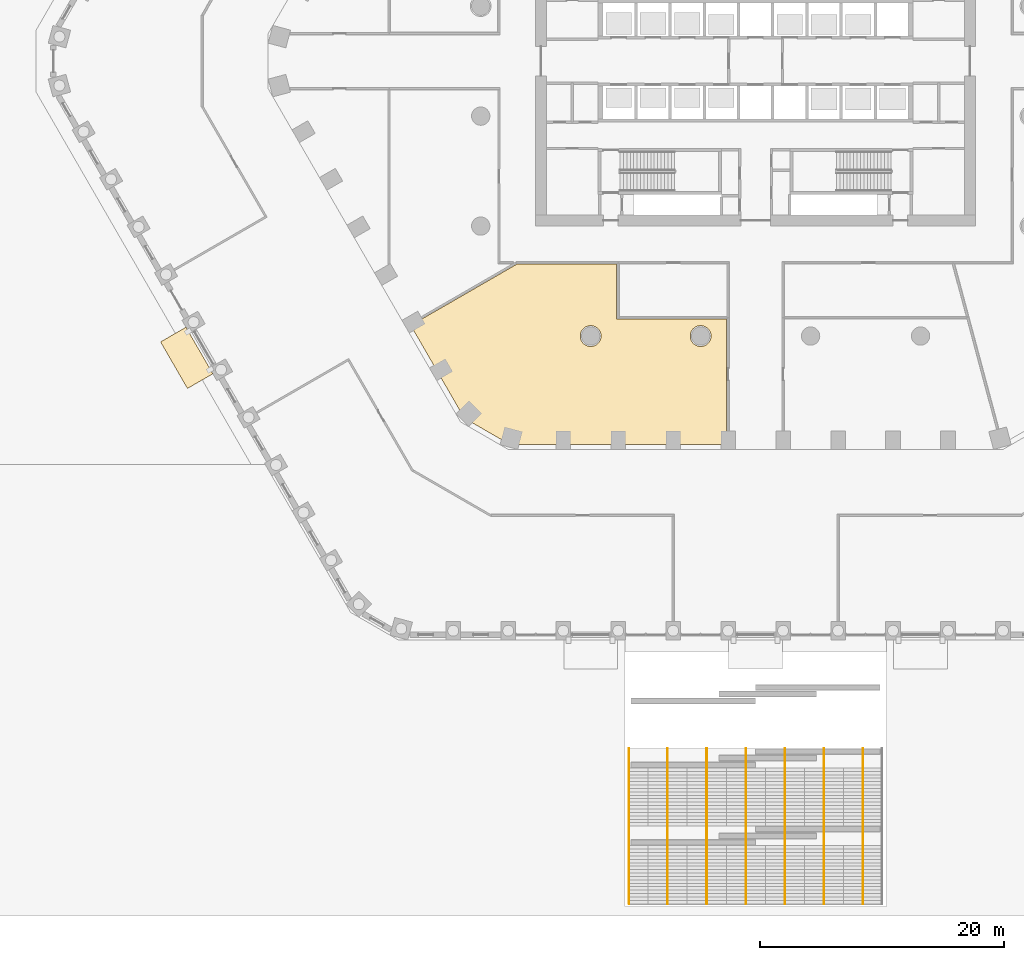
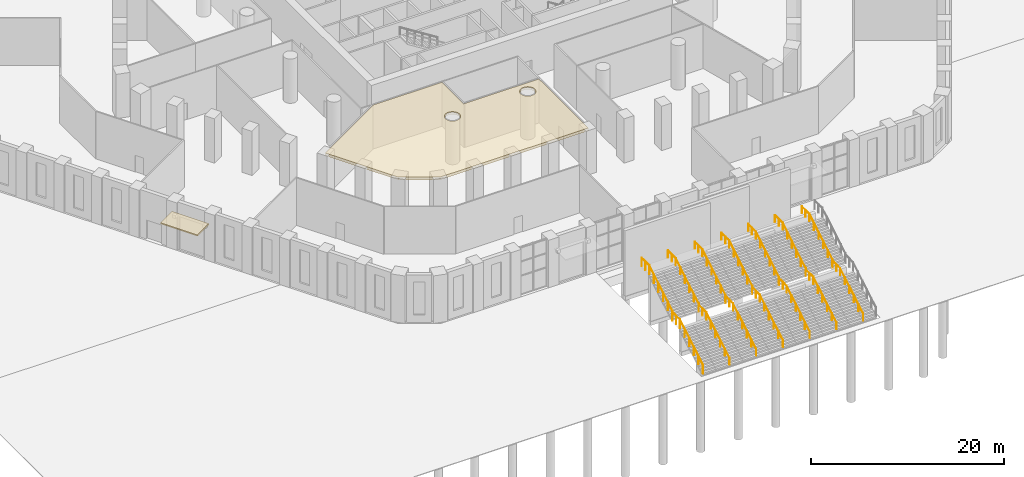
# One storey, part 32 of 44: 7 railings, 2 coverings.
"""IFC4 building model written with IfcOpenShell, lengths in metres."""

from ifc_helpers import new_model, si_unit, direction, frame, origin, origin_2d, place, context, subcontext, project, spatial, polyline, rectangle, circle, outline, extrude, material, layer, layer_set, type_object, element, save


model = new_model("IFC4")

# Units and contexts
model_context = context("Model", 3, precision=1e-05, world=origin(), true_north=direction((0.0, 1.0)))
body_context = subcontext(model_context, "Body", "Model", "MODEL_VIEW")
ifc_project = project(units=[si_unit("LENGTHUNIT", "METRE"), si_unit("AREAUNIT", "SQUARE_METRE"), si_unit("VOLUMEUNIT", "CUBIC_METRE"), si_unit("PLANEANGLEUNIT", "RADIAN"), si_unit("MASSUNIT", "GRAM", prefix="KILO")], contexts=[model_context])

# Site, building, storey
site_placement = place(None, origin())
site = spatial("IfcSite", under=ifc_project, at=site_placement, CompositionType="ELEMENT")
building_placement = place(site_placement, origin())
building = spatial("IfcBuilding", under=site, at=building_placement, Name="Dhurran Vertical Campus", CompositionType="ELEMENT")
storey_placement = place(building_placement, origin())
storey = spatial("IfcBuildingStorey", under=building, at=storey_placement, Name="L00", CompositionType="ELEMENT", Elevation=0.0)

# Coverings
ifc_material_1 = material(Name="Precast concrete C50/60", Category="concrete")
ifc_layer_1 = layer(ifc_material_1, 0.14990234375)
ifc_layer_set_1 = layer_set([ifc_layer_1], Name="Precast concrete C50/60")
covering_type_1 = type_object("IfcCoveringType", Name="Entrance canopy precast 150", PredefinedType="USERDEFINED", material=ifc_layer_set_1)
covering_1_placement = place(storey_placement, frame((-46.561279296875, -24.2841796875, 4.60009765625), z_axis=(0.0, 0.0, 1.0), x_axis=(0.5, -0.866025403784, 0.0)))
element("IfcCovering", 1, at=covering_1_placement, inside=storey, type_object=covering_type_1, Name="CN1 D013 entrance canopy", ObjectType="CANOPY", PredefinedType="USERDEFINED", context=body_context, shape_type="SweptSolid", body=[
    extrude(rectangle(XDim=4.39990234375, YDim=2.39990234375, at=origin_2d()), origin(), (0.0, 0.0, 1.0), 0.14990234375),
])
ifc_material_2 = material(Name="Mineral fibre ceiling tiles on suspended grid")
ifc_layer_2 = layer(ifc_material_2, 0.35009765625)
ifc_layer_set_2 = layer_set([ifc_layer_2], Name="Mineral fibre ceiling tiles on suspended grid")
covering_type_2 = type_object("IfcCoveringType", Name="fl-CE-350 suspended ceiling", PredefinedType="CEILING", material=ifc_layer_set_2)
covering_2_placement = place(storey_placement, frame((0.0, 0.0, 5.25)))
element("IfcCovering", 2, at=covering_2_placement, inside=storey, type_object=covering_type_2, Name="Ceiling 00-22", PredefinedType="CEILING", context=body_context, shape_type="SweptSolid", body=[
    extrude(outline(polyline([(-2.3701171875, -21.1201171875), (-2.3701171875, -31.360107421875), (-20.137939453125, -31.360107421875), (-23.839111328125, -29.221923828125), (-28.222900390625, -21.6298828125), (-19.547119140625, -16.6201171875), (-11.3701171875, -16.6201171875), (-11.3701171875, -21.1201171875), (-2.3701171875, -21.1201171875)]), holes=[polyline([(-13.175048828125, -21.715087890625), (-13.2529296875, -21.68701171875), (-13.333984375, -21.666015625), (-13.4169921875, -21.654052734375), (-13.5, -21.64990234375), (-13.5830078125, -21.654052734375), (-13.666015625, -21.666015625), (-13.7470703125, -21.68701171875), (-13.824951171875, -21.715087890625), (-13.90087890625, -21.75), (-13.971923828125, -21.79296875), (-14.0390625, -21.843017578125), (-14.10107421875, -21.89892578125), (-14.156982421875, -21.9609375), (-14.20703125, -22.028076171875), (-14.25, -22.09912109375), (-14.284912109375, -22.175048828125), (-14.31298828125, -22.2529296875), (-14.333984375, -22.333984375), (-14.345947265625, -22.4169921875), (-14.35009765625, -22.5), (-14.345947265625, -22.5830078125), (-14.333984375, -22.666015625), (-14.31298828125, -22.7470703125), (-14.284912109375, -22.824951171875), (-14.25, -22.90087890625), (-14.20703125, -22.971923828125), (-14.156982421875, -23.0390625), (-14.10107421875, -23.10107421875), (-14.0390625, -23.156982421875), (-13.971923828125, -23.20703125), (-13.90087890625, -23.25), (-13.824951171875, -23.284912109375), (-13.7470703125, -23.31298828125), (-13.666015625, -23.333984375), (-13.5830078125, -23.345947265625), (-13.5, -23.35009765625), (-13.4169921875, -23.345947265625), (-13.333984375, -23.333984375), (-13.2529296875, -23.31298828125), (-13.175048828125, -23.284912109375), (-13.09912109375, -23.25), (-13.028076171875, -23.20703125), (-12.9609375, -23.156982421875), (-12.89892578125, -23.10107421875), (-12.843017578125, -23.0390625), (-12.79296875, -22.971923828125), (-12.75, -22.90087890625), (-12.715087890625, -22.824951171875), (-12.68701171875, -22.7470703125), (-12.666015625, -22.666015625), (-12.654052734375, -22.5830078125), (-12.64990234375, -22.5), (-12.654052734375, -22.4169921875), (-12.666015625, -22.333984375), (-12.68701171875, -22.2529296875), (-12.715087890625, -22.175048828125), (-12.75, -22.09912109375), (-12.79296875, -22.028076171875), (-12.843017578125, -21.9609375), (-12.89892578125, -21.89892578125), (-12.9609375, -21.843017578125), (-13.028076171875, -21.79296875), (-13.09912109375, -21.75), (-13.175048828125, -21.715087890625)]), polyline([(-4.028076171875, -21.79296875), (-4.09912109375, -21.75), (-4.175048828125, -21.715087890625), (-4.2529296875, -21.68701171875), (-4.333984375, -21.666015625), (-4.4169921875, -21.654052734375), (-4.5, -21.64990234375), (-4.5830078125, -21.654052734375), (-4.666015625, -21.666015625), (-4.7470703125, -21.68701171875), (-4.824951171875, -21.715087890625), (-4.90087890625, -21.75), (-4.971923828125, -21.79296875), (-5.0390625, -21.843017578125), (-5.10107421875, -21.89892578125), (-5.156982421875, -21.9609375), (-5.20703125, -22.028076171875), (-5.25, -22.09912109375), (-5.284912109375, -22.175048828125), (-5.31298828125, -22.2529296875), (-5.333984375, -22.333984375), (-5.345947265625, -22.4169921875), (-5.35009765625, -22.5), (-5.345947265625, -22.5830078125), (-5.333984375, -22.666015625), (-5.31298828125, -22.7470703125), (-5.284912109375, -22.824951171875), (-5.25, -22.90087890625), (-5.20703125, -22.971923828125), (-5.156982421875, -23.0390625), (-5.10107421875, -23.10107421875), (-5.0390625, -23.156982421875), (-4.971923828125, -23.20703125), (-4.90087890625, -23.25), (-4.824951171875, -23.284912109375), (-4.7470703125, -23.31298828125), (-4.666015625, -23.333984375), (-4.5830078125, -23.345947265625), (-4.5, -23.35009765625), (-4.4169921875, -23.345947265625), (-4.333984375, -23.333984375), (-4.2529296875, -23.31298828125), (-4.175048828125, -23.284912109375), (-4.09912109375, -23.25), (-4.028076171875, -23.20703125), (-3.9609375, -23.156982421875), (-3.89892578125, -23.10107421875), (-3.843017578125, -23.0390625), (-3.79296875, -22.971923828125), (-3.75, -22.90087890625), (-3.715087890625, -22.824951171875), (-3.68701171875, -22.7470703125), (-3.666015625, -22.666015625), (-3.654052734375, -22.5830078125), (-3.64990234375, -22.5), (-3.654052734375, -22.4169921875), (-3.666015625, -22.333984375), (-3.68701171875, -22.2529296875), (-3.715087890625, -22.175048828125), (-3.75, -22.09912109375), (-3.79296875, -22.028076171875), (-3.843017578125, -21.9609375), (-3.89892578125, -21.89892578125), (-3.9609375, -21.843017578125), (-4.028076171875, -21.79296875)])]), origin(), (0.0, 0.0, 1.0), 0.35009765625),
])

# Railings
ifc_material_3 = material(Name="Steel S355J2H", Category="steel")
railing_type_1 = type_object("IfcRailingType", Name="st-guard 1100", PredefinedType="GUARDRAIL", material=ifc_material_3)
railing_1_placement = place(storey_placement, frame((-10.35009765625, -68.96826171875, 0.166748046875)))
element("IfcRailing", 3, at=railing_1_placement, inside=storey, type_object=railing_type_1, Name="Broad stair DS1 guard W", PredefinedType="GUARDRAIL", context=body_context, shape_type="SweptSolid", body=[
    extrude(circle(Radius=0.02392578125, at=origin_2d()), frame((0.0, 0.0, 1.076171875), z_axis=(0.0, 0.859299802514, 0.511472237174), x_axis=(-1.0, 0.0, 0.0)), (0.0, 0.0, 1.0), 5.539306640625),
    extrude(circle(Radius=0.02392578125, at=origin_2d()), frame((0.0, 4.760009765625, 3.9091796875), z_axis=(0.0, 1.0, 0.0), x_axis=(-1.0, 0.0, 0.0)), (0.0, 0.0, 1.0), 1.599853515625),
    extrude(circle(Radius=0.02392578125, at=origin_2d()), frame((0.0, 6.35986328125, 3.9091796875), z_axis=(0.0, 0.0, 1.0), x_axis=(1.0, 0.0, 0.0)), (0.0, 0.0, 1.0), 0.166748046875),
    extrude(circle(Radius=0.02392578125, at=origin_2d()), frame((0.0, 6.35986328125, 4.076171875), z_axis=(0.0, 0.859299802514, 0.511472237174), x_axis=(-1.0, 0.0, 0.0)), (0.0, 0.0, 1.0), 5.539306640625),
    extrude(circle(Radius=0.02392578125, at=origin_2d()), frame((0.0, 11.119873046875, 6.9091796875), z_axis=(0.0, 1.0, 0.0), x_axis=(-1.0, 0.0, 0.0)), (0.0, 0.0, 1.0), 1.60009765625),
    extrude(circle(Radius=0.02099609375, at=origin_2d()), origin(), (0.0, 0.0, 1.0), 1.052001953125),
    extrude(circle(Radius=0.02099609375, at=origin_2d()), frame((0.0, 0.951904296875, 0.566650390625)), (0.0, 0.0, 1.0), 1.052001953125),
    extrude(circle(Radius=0.02099609375, at=origin_2d()), frame((0.0, 1.904052734375, 1.13330078125)), (0.0, 0.0, 1.0), 1.052001953125),
    extrude(circle(Radius=0.02099609375, at=origin_2d()), frame((0.0, 2.85595703125, 1.699951171875)), (0.0, 0.0, 1.0), 1.052001953125),
    extrude(circle(Radius=0.02099609375, at=origin_2d()), frame((0.0, 3.80810546875, 2.2666015625)), (0.0, 0.0, 1.0), 1.052001953125),
    extrude(circle(Radius=0.02099609375, at=origin_2d()), frame((0.0, 4.760009765625, 2.833251953125)), (0.0, 0.0, 1.0), 1.052001953125),
    extrude(circle(Radius=0.02099609375, at=origin_2d()), frame((0.0, 5.56005859375, 2.833251953125)), (0.0, 0.0, 1.0), 1.052001953125),
    extrude(circle(Radius=0.02099609375, at=origin_2d()), frame((0.0, 6.35986328125, 2.833251953125)), (0.0, 0.0, 1.0), 1.052001953125),
    extrude(circle(Radius=0.02099609375, at=origin_2d()), frame((0.0, 6.35986328125, 3.0)), (0.0, 0.0, 1.0), 1.052001953125),
    extrude(circle(Radius=0.02099609375, at=origin_2d()), frame((0.0, 7.311767578125, 3.566650390625)), (0.0, 0.0, 1.0), 1.052001953125),
    extrude(circle(Radius=0.02099609375, at=origin_2d()), frame((0.0, 8.263916015625, 4.13330078125)), (0.0, 0.0, 1.0), 1.052001953125),
    extrude(circle(Radius=0.02099609375, at=origin_2d()), frame((0.0, 9.2158203125, 4.699951171875)), (0.0, 0.0, 1.0), 1.052001953125),
    extrude(circle(Radius=0.02099609375, at=origin_2d()), frame((0.0, 10.16796875, 5.2666015625)), (0.0, 0.0, 1.0), 1.052001953125),
    extrude(circle(Radius=0.02099609375, at=origin_2d()), frame((0.0, 11.119873046875, 5.833251953125)), (0.0, 0.0, 1.0), 1.052001953125),
    extrude(circle(Radius=0.02099609375, at=origin_2d()), frame((0.0, 11.919921875, 5.833251953125)), (0.0, 0.0, 1.0), 1.052001953125),
    extrude(circle(Radius=0.02099609375, at=origin_2d()), frame((0.0, 12.719970703125, 5.833251953125)), (0.0, 0.0, 1.0), 1.052001953125),
])
ifc_material_4 = material(Name="Steel S355J2H", Category="steel")
railing_type_2 = type_object("IfcRailingType", Name="st-handrail 900", PredefinedType="HANDRAIL", material=ifc_material_4)
railing_2_placement = place(storey_placement, frame((-7.199951171875, -68.96826171875, 0.166748046875)))
element("IfcRailing", 4, at=railing_2_placement, inside=storey, type_object=railing_type_2, Name="Broad stair DS1 handrail 1", PredefinedType="HANDRAIL", context=body_context, shape_type="SweptSolid", body=[
    extrude(circle(Radius=0.02392578125, at=origin_2d()), frame((0.0, 0.0, 0.8759765625), z_axis=(0.0, 0.859299802514, 0.511472237174), x_axis=(-1.0, 0.0, 0.0)), (0.0, 0.0, 1.0), 5.539306640625),
    extrude(circle(Radius=0.02392578125, at=origin_2d()), frame((0.0, 4.760009765625, 3.708984375), z_axis=(0.0, 1.0, 0.0), x_axis=(-1.0, 0.0, 0.0)), (0.0, 0.0, 1.0), 1.599853515625),
    extrude(circle(Radius=0.02392578125, at=origin_2d()), frame((0.0, 6.35986328125, 3.708984375), z_axis=(0.0, 0.0, 1.0), x_axis=(1.0, 0.0, 0.0)), (0.0, 0.0, 1.0), 0.166748046875),
    extrude(circle(Radius=0.02392578125, at=origin_2d()), frame((0.0, 6.35986328125, 3.8759765625), z_axis=(0.0, 0.859299802514, 0.511472237174), x_axis=(-1.0, 0.0, 0.0)), (0.0, 0.0, 1.0), 5.539306640625),
    extrude(circle(Radius=0.02392578125, at=origin_2d()), frame((0.0, 11.119873046875, 6.708984375), z_axis=(0.0, 1.0, 0.0), x_axis=(-1.0, 0.0, 0.0)), (0.0, 0.0, 1.0), 1.60009765625),
    extrude(circle(Radius=0.02099609375, at=origin_2d()), origin(), (0.0, 0.0, 1.0), 0.851806640625),
    extrude(circle(Radius=0.02099609375, at=origin_2d()), frame((0.0, 0.951904296875, 0.566650390625)), (0.0, 0.0, 1.0), 0.851806640625),
    extrude(circle(Radius=0.02099609375, at=origin_2d()), frame((0.0, 1.904052734375, 1.13330078125)), (0.0, 0.0, 1.0), 0.851806640625),
    extrude(circle(Radius=0.02099609375, at=origin_2d()), frame((0.0, 2.85595703125, 1.699951171875)), (0.0, 0.0, 1.0), 0.851806640625),
    extrude(circle(Radius=0.02099609375, at=origin_2d()), frame((0.0, 3.80810546875, 2.2666015625)), (0.0, 0.0, 1.0), 0.851806640625),
    extrude(circle(Radius=0.02099609375, at=origin_2d()), frame((0.0, 4.760009765625, 2.833251953125)), (0.0, 0.0, 1.0), 0.851806640625),
    extrude(circle(Radius=0.02099609375, at=origin_2d()), frame((0.0, 5.56005859375, 2.833251953125)), (0.0, 0.0, 1.0), 0.851806640625),
    extrude(circle(Radius=0.02099609375, at=origin_2d()), frame((0.0, 6.35986328125, 2.833251953125)), (0.0, 0.0, 1.0), 0.851806640625),
    extrude(circle(Radius=0.02099609375, at=origin_2d()), frame((0.0, 6.35986328125, 3.0)), (0.0, 0.0, 1.0), 0.851806640625),
    extrude(circle(Radius=0.02099609375, at=origin_2d()), frame((0.0, 7.311767578125, 3.566650390625)), (0.0, 0.0, 1.0), 0.851806640625),
    extrude(circle(Radius=0.02099609375, at=origin_2d()), frame((0.0, 8.263916015625, 4.13330078125)), (0.0, 0.0, 1.0), 0.851806640625),
    extrude(circle(Radius=0.02099609375, at=origin_2d()), frame((0.0, 9.2158203125, 4.699951171875)), (0.0, 0.0, 1.0), 0.851806640625),
    extrude(circle(Radius=0.02099609375, at=origin_2d()), frame((0.0, 10.16796875, 5.2666015625)), (0.0, 0.0, 1.0), 0.851806640625),
    extrude(circle(Radius=0.02099609375, at=origin_2d()), frame((0.0, 11.119873046875, 5.833251953125)), (0.0, 0.0, 1.0), 0.851806640625),
    extrude(circle(Radius=0.02099609375, at=origin_2d()), frame((0.0, 11.919921875, 5.833251953125)), (0.0, 0.0, 1.0), 0.851806640625),
    extrude(circle(Radius=0.02099609375, at=origin_2d()), frame((0.0, 12.719970703125, 5.833251953125)), (0.0, 0.0, 1.0), 0.851806640625),
])
railing_3_placement = place(storey_placement, frame((-4.0, -68.96826171875, 0.166748046875)))
element("IfcRailing", 5, at=railing_3_placement, inside=storey, type_object=railing_type_2, Name="Broad stair DS1 handrail 2", PredefinedType="HANDRAIL", context=body_context, shape_type="SweptSolid", body=[
    extrude(circle(Radius=0.02392578125, at=origin_2d()), frame((0.0, 0.0, 0.8759765625), z_axis=(0.0, 0.859299802514, 0.511472237174), x_axis=(-1.0, 0.0, 0.0)), (0.0, 0.0, 1.0), 5.539306640625),
    extrude(circle(Radius=0.02392578125, at=origin_2d()), frame((0.0, 4.760009765625, 3.708984375), z_axis=(0.0, 1.0, 0.0), x_axis=(-1.0, 0.0, 0.0)), (0.0, 0.0, 1.0), 1.599853515625),
    extrude(circle(Radius=0.02392578125, at=origin_2d()), frame((0.0, 6.35986328125, 3.708984375), z_axis=(0.0, 0.0, 1.0), x_axis=(1.0, 0.0, 0.0)), (0.0, 0.0, 1.0), 0.166748046875),
    extrude(circle(Radius=0.02392578125, at=origin_2d()), frame((0.0, 6.35986328125, 3.8759765625), z_axis=(0.0, 0.859299802514, 0.511472237174), x_axis=(-1.0, 0.0, 0.0)), (0.0, 0.0, 1.0), 5.539306640625),
    extrude(circle(Radius=0.02392578125, at=origin_2d()), frame((0.0, 11.119873046875, 6.708984375), z_axis=(0.0, 1.0, 0.0), x_axis=(-1.0, 0.0, 0.0)), (0.0, 0.0, 1.0), 1.60009765625),
    extrude(circle(Radius=0.02099609375, at=origin_2d()), origin(), (0.0, 0.0, 1.0), 0.851806640625),
    extrude(circle(Radius=0.02099609375, at=origin_2d()), frame((0.0, 0.951904296875, 0.566650390625)), (0.0, 0.0, 1.0), 0.851806640625),
    extrude(circle(Radius=0.02099609375, at=origin_2d()), frame((0.0, 1.904052734375, 1.13330078125)), (0.0, 0.0, 1.0), 0.851806640625),
    extrude(circle(Radius=0.02099609375, at=origin_2d()), frame((0.0, 2.85595703125, 1.699951171875)), (0.0, 0.0, 1.0), 0.851806640625),
    extrude(circle(Radius=0.02099609375, at=origin_2d()), frame((0.0, 3.80810546875, 2.2666015625)), (0.0, 0.0, 1.0), 0.851806640625),
    extrude(circle(Radius=0.02099609375, at=origin_2d()), frame((0.0, 4.760009765625, 2.833251953125)), (0.0, 0.0, 1.0), 0.851806640625),
    extrude(circle(Radius=0.02099609375, at=origin_2d()), frame((0.0, 5.56005859375, 2.833251953125)), (0.0, 0.0, 1.0), 0.851806640625),
    extrude(circle(Radius=0.02099609375, at=origin_2d()), frame((0.0, 6.35986328125, 2.833251953125)), (0.0, 0.0, 1.0), 0.851806640625),
    extrude(circle(Radius=0.02099609375, at=origin_2d()), frame((0.0, 6.35986328125, 3.0)), (0.0, 0.0, 1.0), 0.851806640625),
    extrude(circle(Radius=0.02099609375, at=origin_2d()), frame((0.0, 7.311767578125, 3.566650390625)), (0.0, 0.0, 1.0), 0.851806640625),
    extrude(circle(Radius=0.02099609375, at=origin_2d()), frame((0.0, 8.263916015625, 4.13330078125)), (0.0, 0.0, 1.0), 0.851806640625),
    extrude(circle(Radius=0.02099609375, at=origin_2d()), frame((0.0, 9.2158203125, 4.699951171875)), (0.0, 0.0, 1.0), 0.851806640625),
    extrude(circle(Radius=0.02099609375, at=origin_2d()), frame((0.0, 10.16796875, 5.2666015625)), (0.0, 0.0, 1.0), 0.851806640625),
    extrude(circle(Radius=0.02099609375, at=origin_2d()), frame((0.0, 11.119873046875, 5.833251953125)), (0.0, 0.0, 1.0), 0.851806640625),
    extrude(circle(Radius=0.02099609375, at=origin_2d()), frame((0.0, 11.919921875, 5.833251953125)), (0.0, 0.0, 1.0), 0.851806640625),
    extrude(circle(Radius=0.02099609375, at=origin_2d()), frame((0.0, 12.719970703125, 5.833251953125)), (0.0, 0.0, 1.0), 0.851806640625),
])
railing_4_placement = place(storey_placement, frame((-0.800048828125, -68.96826171875, 0.166748046875)))
element("IfcRailing", 6, at=railing_4_placement, inside=storey, type_object=railing_type_2, Name="Broad stair DS1 handrail 3", PredefinedType="HANDRAIL", context=body_context, shape_type="SweptSolid", body=[
    extrude(circle(Radius=0.02392578125, at=origin_2d()), frame((0.0, 0.0, 0.8759765625), z_axis=(0.0, 0.859299802514, 0.511472237174), x_axis=(-1.0, 0.0, 0.0)), (0.0, 0.0, 1.0), 5.539306640625),
    extrude(circle(Radius=0.02392578125, at=origin_2d()), frame((0.0, 4.760009765625, 3.708984375), z_axis=(0.0, 1.0, 0.0), x_axis=(-1.0, 0.0, 0.0)), (0.0, 0.0, 1.0), 1.599853515625),
    extrude(circle(Radius=0.02392578125, at=origin_2d()), frame((0.0, 6.35986328125, 3.708984375), z_axis=(0.0, 0.0, 1.0), x_axis=(1.0, 0.0, 0.0)), (0.0, 0.0, 1.0), 0.166748046875),
    extrude(circle(Radius=0.02392578125, at=origin_2d()), frame((0.0, 6.35986328125, 3.8759765625), z_axis=(0.0, 0.859299802514, 0.511472237174), x_axis=(-1.0, 0.0, 0.0)), (0.0, 0.0, 1.0), 5.539306640625),
    extrude(circle(Radius=0.02392578125, at=origin_2d()), frame((0.0, 11.119873046875, 6.708984375), z_axis=(0.0, 1.0, 0.0), x_axis=(-1.0, 0.0, 0.0)), (0.0, 0.0, 1.0), 1.60009765625),
    extrude(circle(Radius=0.02099609375, at=origin_2d()), origin(), (0.0, 0.0, 1.0), 0.851806640625),
    extrude(circle(Radius=0.02099609375, at=origin_2d()), frame((0.0, 0.951904296875, 0.566650390625)), (0.0, 0.0, 1.0), 0.851806640625),
    extrude(circle(Radius=0.02099609375, at=origin_2d()), frame((0.0, 1.904052734375, 1.13330078125)), (0.0, 0.0, 1.0), 0.851806640625),
    extrude(circle(Radius=0.02099609375, at=origin_2d()), frame((0.0, 2.85595703125, 1.699951171875)), (0.0, 0.0, 1.0), 0.851806640625),
    extrude(circle(Radius=0.02099609375, at=origin_2d()), frame((0.0, 3.80810546875, 2.2666015625)), (0.0, 0.0, 1.0), 0.851806640625),
    extrude(circle(Radius=0.02099609375, at=origin_2d()), frame((0.0, 4.760009765625, 2.833251953125)), (0.0, 0.0, 1.0), 0.851806640625),
    extrude(circle(Radius=0.02099609375, at=origin_2d()), frame((0.0, 5.56005859375, 2.833251953125)), (0.0, 0.0, 1.0), 0.851806640625),
    extrude(circle(Radius=0.02099609375, at=origin_2d()), frame((0.0, 6.35986328125, 2.833251953125)), (0.0, 0.0, 1.0), 0.851806640625),
    extrude(circle(Radius=0.02099609375, at=origin_2d()), frame((0.0, 6.35986328125, 3.0)), (0.0, 0.0, 1.0), 0.851806640625),
    extrude(circle(Radius=0.02099609375, at=origin_2d()), frame((0.0, 7.311767578125, 3.566650390625)), (0.0, 0.0, 1.0), 0.851806640625),
    extrude(circle(Radius=0.02099609375, at=origin_2d()), frame((0.0, 8.263916015625, 4.13330078125)), (0.0, 0.0, 1.0), 0.851806640625),
    extrude(circle(Radius=0.02099609375, at=origin_2d()), frame((0.0, 9.2158203125, 4.699951171875)), (0.0, 0.0, 1.0), 0.851806640625),
    extrude(circle(Radius=0.02099609375, at=origin_2d()), frame((0.0, 10.16796875, 5.2666015625)), (0.0, 0.0, 1.0), 0.851806640625),
    extrude(circle(Radius=0.02099609375, at=origin_2d()), frame((0.0, 11.119873046875, 5.833251953125)), (0.0, 0.0, 1.0), 0.851806640625),
    extrude(circle(Radius=0.02099609375, at=origin_2d()), frame((0.0, 11.919921875, 5.833251953125)), (0.0, 0.0, 1.0), 0.851806640625),
    extrude(circle(Radius=0.02099609375, at=origin_2d()), frame((0.0, 12.719970703125, 5.833251953125)), (0.0, 0.0, 1.0), 0.851806640625),
])
railing_5_placement = place(storey_placement, frame((2.39990234375, -68.96826171875, 0.166748046875)))
element("IfcRailing", 7, at=railing_5_placement, inside=storey, type_object=railing_type_2, Name="Broad stair DS1 handrail 4", PredefinedType="HANDRAIL", context=body_context, shape_type="SweptSolid", body=[
    extrude(circle(Radius=0.02392578125, at=origin_2d()), frame((0.0, 0.0, 0.8759765625), z_axis=(0.0, 0.859299802514, 0.511472237174), x_axis=(-1.0, 0.0, 0.0)), (0.0, 0.0, 1.0), 5.539306640625),
    extrude(circle(Radius=0.02392578125, at=origin_2d()), frame((0.0, 4.760009765625, 3.708984375), z_axis=(0.0, 1.0, 0.0), x_axis=(-1.0, 0.0, 0.0)), (0.0, 0.0, 1.0), 1.599853515625),
    extrude(circle(Radius=0.02392578125, at=origin_2d()), frame((0.0, 6.35986328125, 3.708984375), z_axis=(0.0, 0.0, 1.0), x_axis=(1.0, 0.0, 0.0)), (0.0, 0.0, 1.0), 0.166748046875),
    extrude(circle(Radius=0.02392578125, at=origin_2d()), frame((0.0, 6.35986328125, 3.8759765625), z_axis=(0.0, 0.859299802514, 0.511472237174), x_axis=(-1.0, 0.0, 0.0)), (0.0, 0.0, 1.0), 5.539306640625),
    extrude(circle(Radius=0.02392578125, at=origin_2d()), frame((0.0, 11.119873046875, 6.708984375), z_axis=(0.0, 1.0, 0.0), x_axis=(-1.0, 0.0, 0.0)), (0.0, 0.0, 1.0), 1.60009765625),
    extrude(circle(Radius=0.02099609375, at=origin_2d()), origin(), (0.0, 0.0, 1.0), 0.851806640625),
    extrude(circle(Radius=0.02099609375, at=origin_2d()), frame((0.0, 0.951904296875, 0.566650390625)), (0.0, 0.0, 1.0), 0.851806640625),
    extrude(circle(Radius=0.02099609375, at=origin_2d()), frame((0.0, 1.904052734375, 1.13330078125)), (0.0, 0.0, 1.0), 0.851806640625),
    extrude(circle(Radius=0.02099609375, at=origin_2d()), frame((0.0, 2.85595703125, 1.699951171875)), (0.0, 0.0, 1.0), 0.851806640625),
    extrude(circle(Radius=0.02099609375, at=origin_2d()), frame((0.0, 3.80810546875, 2.2666015625)), (0.0, 0.0, 1.0), 0.851806640625),
    extrude(circle(Radius=0.02099609375, at=origin_2d()), frame((0.0, 4.760009765625, 2.833251953125)), (0.0, 0.0, 1.0), 0.851806640625),
    extrude(circle(Radius=0.02099609375, at=origin_2d()), frame((0.0, 5.56005859375, 2.833251953125)), (0.0, 0.0, 1.0), 0.851806640625),
    extrude(circle(Radius=0.02099609375, at=origin_2d()), frame((0.0, 6.35986328125, 2.833251953125)), (0.0, 0.0, 1.0), 0.851806640625),
    extrude(circle(Radius=0.02099609375, at=origin_2d()), frame((0.0, 6.35986328125, 3.0)), (0.0, 0.0, 1.0), 0.851806640625),
    extrude(circle(Radius=0.02099609375, at=origin_2d()), frame((0.0, 7.311767578125, 3.566650390625)), (0.0, 0.0, 1.0), 0.851806640625),
    extrude(circle(Radius=0.02099609375, at=origin_2d()), frame((0.0, 8.263916015625, 4.13330078125)), (0.0, 0.0, 1.0), 0.851806640625),
    extrude(circle(Radius=0.02099609375, at=origin_2d()), frame((0.0, 9.2158203125, 4.699951171875)), (0.0, 0.0, 1.0), 0.851806640625),
    extrude(circle(Radius=0.02099609375, at=origin_2d()), frame((0.0, 10.16796875, 5.2666015625)), (0.0, 0.0, 1.0), 0.851806640625),
    extrude(circle(Radius=0.02099609375, at=origin_2d()), frame((0.0, 11.119873046875, 5.833251953125)), (0.0, 0.0, 1.0), 0.851806640625),
    extrude(circle(Radius=0.02099609375, at=origin_2d()), frame((0.0, 11.919921875, 5.833251953125)), (0.0, 0.0, 1.0), 0.851806640625),
    extrude(circle(Radius=0.02099609375, at=origin_2d()), frame((0.0, 12.719970703125, 5.833251953125)), (0.0, 0.0, 1.0), 0.851806640625),
])
railing_6_placement = place(storey_placement, frame((5.60009765625, -68.96826171875, 0.166748046875)))
element("IfcRailing", 8, at=railing_6_placement, inside=storey, type_object=railing_type_2, Name="Broad stair DS1 handrail 5", PredefinedType="HANDRAIL", context=body_context, shape_type="SweptSolid", body=[
    extrude(circle(Radius=0.02392578125, at=origin_2d()), frame((0.0, 0.0, 0.8759765625), z_axis=(0.0, 0.859299802514, 0.511472237174), x_axis=(-1.0, 0.0, 0.0)), (0.0, 0.0, 1.0), 5.539306640625),
    extrude(circle(Radius=0.02392578125, at=origin_2d()), frame((0.0, 4.760009765625, 3.708984375), z_axis=(0.0, 1.0, 0.0), x_axis=(-1.0, 0.0, 0.0)), (0.0, 0.0, 1.0), 1.599853515625),
    extrude(circle(Radius=0.02392578125, at=origin_2d()), frame((0.0, 6.35986328125, 3.708984375), z_axis=(0.0, 0.0, 1.0), x_axis=(1.0, 0.0, 0.0)), (0.0, 0.0, 1.0), 0.166748046875),
    extrude(circle(Radius=0.02392578125, at=origin_2d()), frame((0.0, 6.35986328125, 3.8759765625), z_axis=(0.0, 0.859299802514, 0.511472237174), x_axis=(-1.0, 0.0, 0.0)), (0.0, 0.0, 1.0), 5.539306640625),
    extrude(circle(Radius=0.02392578125, at=origin_2d()), frame((0.0, 11.119873046875, 6.708984375), z_axis=(0.0, 1.0, 0.0), x_axis=(-1.0, 0.0, 0.0)), (0.0, 0.0, 1.0), 1.60009765625),
    extrude(circle(Radius=0.02099609375, at=origin_2d()), origin(), (0.0, 0.0, 1.0), 0.851806640625),
    extrude(circle(Radius=0.02099609375, at=origin_2d()), frame((0.0, 0.951904296875, 0.566650390625)), (0.0, 0.0, 1.0), 0.851806640625),
    extrude(circle(Radius=0.02099609375, at=origin_2d()), frame((0.0, 1.904052734375, 1.13330078125)), (0.0, 0.0, 1.0), 0.851806640625),
    extrude(circle(Radius=0.02099609375, at=origin_2d()), frame((0.0, 2.85595703125, 1.699951171875)), (0.0, 0.0, 1.0), 0.851806640625),
    extrude(circle(Radius=0.02099609375, at=origin_2d()), frame((0.0, 3.80810546875, 2.2666015625)), (0.0, 0.0, 1.0), 0.851806640625),
    extrude(circle(Radius=0.02099609375, at=origin_2d()), frame((0.0, 4.760009765625, 2.833251953125)), (0.0, 0.0, 1.0), 0.851806640625),
    extrude(circle(Radius=0.02099609375, at=origin_2d()), frame((0.0, 5.56005859375, 2.833251953125)), (0.0, 0.0, 1.0), 0.851806640625),
    extrude(circle(Radius=0.02099609375, at=origin_2d()), frame((0.0, 6.35986328125, 2.833251953125)), (0.0, 0.0, 1.0), 0.851806640625),
    extrude(circle(Radius=0.02099609375, at=origin_2d()), frame((0.0, 6.35986328125, 3.0)), (0.0, 0.0, 1.0), 0.851806640625),
    extrude(circle(Radius=0.02099609375, at=origin_2d()), frame((0.0, 7.311767578125, 3.566650390625)), (0.0, 0.0, 1.0), 0.851806640625),
    extrude(circle(Radius=0.02099609375, at=origin_2d()), frame((0.0, 8.263916015625, 4.13330078125)), (0.0, 0.0, 1.0), 0.851806640625),
    extrude(circle(Radius=0.02099609375, at=origin_2d()), frame((0.0, 9.2158203125, 4.699951171875)), (0.0, 0.0, 1.0), 0.851806640625),
    extrude(circle(Radius=0.02099609375, at=origin_2d()), frame((0.0, 10.16796875, 5.2666015625)), (0.0, 0.0, 1.0), 0.851806640625),
    extrude(circle(Radius=0.02099609375, at=origin_2d()), frame((0.0, 11.119873046875, 5.833251953125)), (0.0, 0.0, 1.0), 0.851806640625),
    extrude(circle(Radius=0.02099609375, at=origin_2d()), frame((0.0, 11.919921875, 5.833251953125)), (0.0, 0.0, 1.0), 0.851806640625),
    extrude(circle(Radius=0.02099609375, at=origin_2d()), frame((0.0, 12.719970703125, 5.833251953125)), (0.0, 0.0, 1.0), 0.851806640625),
])
railing_7_placement = place(storey_placement, frame((8.800048828125, -68.96826171875, 0.166748046875)))
element("IfcRailing", 9, at=railing_7_placement, inside=storey, type_object=railing_type_2, Name="Broad stair DS1 handrail 6", PredefinedType="HANDRAIL", context=body_context, shape_type="SweptSolid", body=[
    extrude(circle(Radius=0.02392578125, at=origin_2d()), frame((0.0, 0.0, 0.8759765625), z_axis=(0.0, 0.859299802514, 0.511472237174), x_axis=(-1.0, 0.0, 0.0)), (0.0, 0.0, 1.0), 5.539306640625),
    extrude(circle(Radius=0.02392578125, at=origin_2d()), frame((0.0, 4.760009765625, 3.708984375), z_axis=(0.0, 1.0, 0.0), x_axis=(-1.0, 0.0, 0.0)), (0.0, 0.0, 1.0), 1.599853515625),
    extrude(circle(Radius=0.02392578125, at=origin_2d()), frame((0.0, 6.35986328125, 3.708984375), z_axis=(0.0, 0.0, 1.0), x_axis=(1.0, 0.0, 0.0)), (0.0, 0.0, 1.0), 0.166748046875),
    extrude(circle(Radius=0.02392578125, at=origin_2d()), frame((0.0, 6.35986328125, 3.8759765625), z_axis=(0.0, 0.859299802514, 0.511472237174), x_axis=(-1.0, 0.0, 0.0)), (0.0, 0.0, 1.0), 5.539306640625),
    extrude(circle(Radius=0.02392578125, at=origin_2d()), frame((0.0, 11.119873046875, 6.708984375), z_axis=(0.0, 1.0, 0.0), x_axis=(-1.0, 0.0, 0.0)), (0.0, 0.0, 1.0), 1.60009765625),
    extrude(circle(Radius=0.02099609375, at=origin_2d()), origin(), (0.0, 0.0, 1.0), 0.851806640625),
    extrude(circle(Radius=0.02099609375, at=origin_2d()), frame((0.0, 0.951904296875, 0.566650390625)), (0.0, 0.0, 1.0), 0.851806640625),
    extrude(circle(Radius=0.02099609375, at=origin_2d()), frame((0.0, 1.904052734375, 1.13330078125)), (0.0, 0.0, 1.0), 0.851806640625),
    extrude(circle(Radius=0.02099609375, at=origin_2d()), frame((0.0, 2.85595703125, 1.699951171875)), (0.0, 0.0, 1.0), 0.851806640625),
    extrude(circle(Radius=0.02099609375, at=origin_2d()), frame((0.0, 3.80810546875, 2.2666015625)), (0.0, 0.0, 1.0), 0.851806640625),
    extrude(circle(Radius=0.02099609375, at=origin_2d()), frame((0.0, 4.760009765625, 2.833251953125)), (0.0, 0.0, 1.0), 0.851806640625),
    extrude(circle(Radius=0.02099609375, at=origin_2d()), frame((0.0, 5.56005859375, 2.833251953125)), (0.0, 0.0, 1.0), 0.851806640625),
    extrude(circle(Radius=0.02099609375, at=origin_2d()), frame((0.0, 6.35986328125, 2.833251953125)), (0.0, 0.0, 1.0), 0.851806640625),
    extrude(circle(Radius=0.02099609375, at=origin_2d()), frame((0.0, 6.35986328125, 3.0)), (0.0, 0.0, 1.0), 0.851806640625),
    extrude(circle(Radius=0.02099609375, at=origin_2d()), frame((0.0, 7.311767578125, 3.566650390625)), (0.0, 0.0, 1.0), 0.851806640625),
    extrude(circle(Radius=0.02099609375, at=origin_2d()), frame((0.0, 8.263916015625, 4.13330078125)), (0.0, 0.0, 1.0), 0.851806640625),
    extrude(circle(Radius=0.02099609375, at=origin_2d()), frame((0.0, 9.2158203125, 4.699951171875)), (0.0, 0.0, 1.0), 0.851806640625),
    extrude(circle(Radius=0.02099609375, at=origin_2d()), frame((0.0, 10.16796875, 5.2666015625)), (0.0, 0.0, 1.0), 0.851806640625),
    extrude(circle(Radius=0.02099609375, at=origin_2d()), frame((0.0, 11.119873046875, 5.833251953125)), (0.0, 0.0, 1.0), 0.851806640625),
    extrude(circle(Radius=0.02099609375, at=origin_2d()), frame((0.0, 11.919921875, 5.833251953125)), (0.0, 0.0, 1.0), 0.851806640625),
    extrude(circle(Radius=0.02099609375, at=origin_2d()), frame((0.0, 12.719970703125, 5.833251953125)), (0.0, 0.0, 1.0), 0.851806640625),
])

save(model, "model.ifc")
